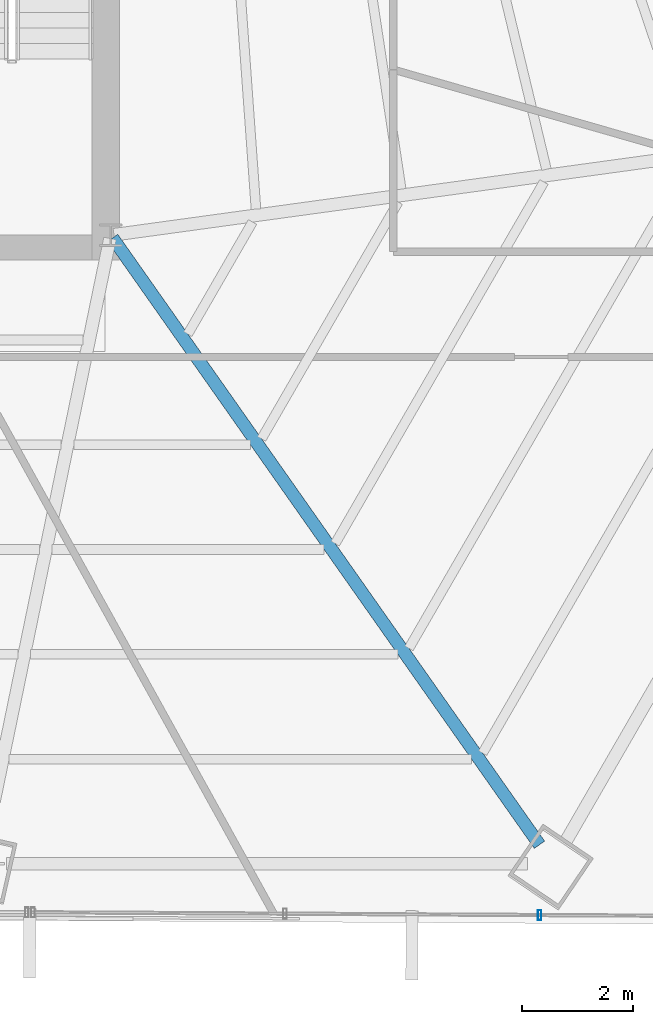
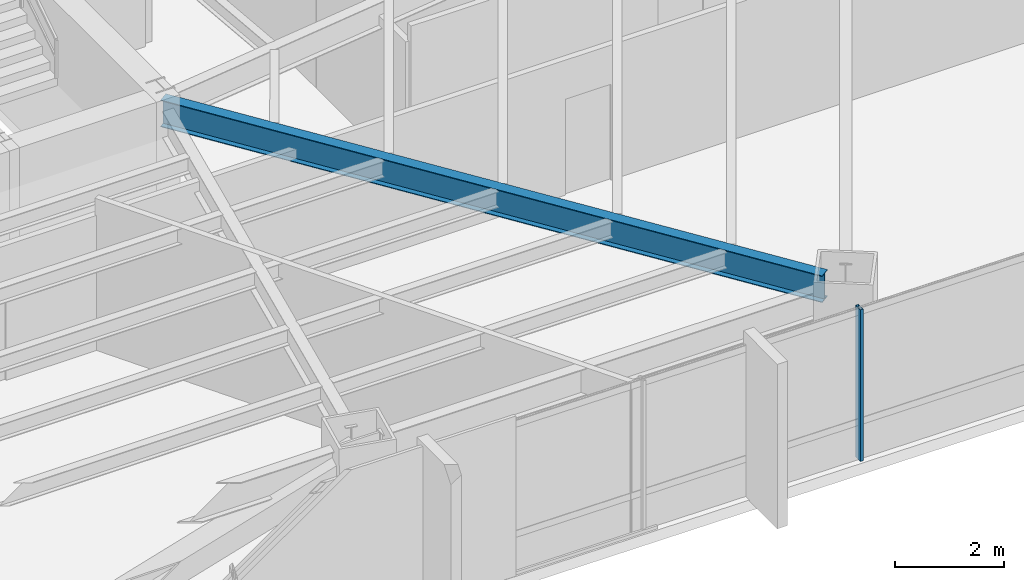
# One storey, part 16 of 35: 1 beam, 1 member, 1 element without a shape of its own.
"""IFC4 building model written with IfcOpenShell, lengths in metres."""

from ifc_helpers import new_model, si_unit, direction, frame, origin, origin_2d, place, context, subcontext, project, spatial, hollow_rectangle, i_section, extrude, source, transform, mapped, material, material_profile, profile_set, type_object, type_shapes, element, aggregate, save


model = new_model("IFC4")

# Units and contexts
model_context = context("Model", 3, precision=1e-05, world=origin(), true_north=direction((0.0, 1.0)))
body_context = subcontext(model_context, "Body", "Model", "MODEL_VIEW")
ifc_project = project(units=[si_unit("LENGTHUNIT", "METRE"), si_unit("AREAUNIT", "SQUARE_METRE"), si_unit("VOLUMEUNIT", "CUBIC_METRE"), si_unit("PLANEANGLEUNIT", "RADIAN"), si_unit("MASSUNIT", "GRAM", prefix="KILO")], contexts=[model_context])

# Site, building, storey
site_placement = place(None, origin())
site = spatial("IfcSite", under=ifc_project, at=site_placement, CompositionType="ELEMENT")
building_placement = place(site_placement, origin())
building = spatial("IfcBuilding", under=site, at=building_placement, Name="Caelisora Broadcast Tower", CompositionType="ELEMENT")
storey_placement = place(building_placement, frame((0.0, 0.0, 87.14990234375)))
storey = spatial("IfcBuildingStorey", under=building, at=storey_placement, Name="L22", CompositionType="ELEMENT", Elevation=87.14990234375)

# Beam
ifc_material_1 = material(Name="Steel Grade 350 (AS/NZS 3679.1)", Category="steel")
ifc_material_profile_1 = material_profile(ifc_material_1, i_section(OverallWidth=0.22802734375, OverallDepth=0.602294921875, WebThickness=0.010498046875, FlangeThickness=0.014892578125, at=origin_2d()), Name="Steel Grade 350 (AS/NZS 3679.1)")
ifc_profile_set_1 = profile_set([ifc_material_profile_1], Name="Steel Grade 350 (AS/NZS 3679.1)")
beam_type = type_object("IfcBeamType", Name="PG04", PredefinedType="BEAM", material=ifc_profile_set_1)
shared_shape_1 = source(origin(), body_context, "Body", "SweptSolid", [
    extrude(i_section(OverallWidth=0.22802734375, OverallDepth=0.602294921875, WebThickness=0.010498046875, FlangeThickness=0.014892578125, at=origin_2d()), origin(), (0.0, 0.0, 1.0), 13.39501953125),
])
type_shapes(beam_type, [shared_shape_1])
beam_placement = place(storey_placement, frame((45.534423828125, 17.350830078125, 3.098876953125), z_axis=(0.5753836925, -0.817883614217, 0.0), x_axis=(0.817883614217, 0.5753836925, 0.0)))
element("IfcBeam", 1, at=beam_placement, inside=storey, type_object=beam_type, Name="L22 beam PG04", PredefinedType="BEAM", context=body_context, shape_type="MappedRepresentation", body=[
    mapped(shared_shape_1, transform((0.0, 0.0, 0.0), scale=1.0)),
])

# Curtain wall, member
ifc_material_2 = material(Name="Unitised Aluminium and Low-E Glass Curtain Wall", Category="glass")
curtain_wall_type = type_object("IfcCurtainWallType", Name="CW-Z2", PredefinedType="NOTDEFINED", material=ifc_material_2)
curtain_wall_placement = place(storey_placement, origin())
curtain_wall = element("IfcCurtainWall", 2, at=curtain_wall_placement, inside=storey, type_object=curtain_wall_type, Name="L22 curtain wall CW-Z2", PredefinedType="NOTDEFINED")
ifc_material_3 = material(Name="Aluminium 6063-T6 Anodised Terracotta Bronze", Category="aluminium")
ifc_material_profile_2 = material_profile(ifc_material_3, hollow_rectangle(XDim=0.06494140625, YDim=0.179931640625, WallThickness=0.00341796875, at=origin_2d()), Name="Aluminium 6063-T6 Anodised Terracotta Bronze")
ifc_profile_set_2 = profile_set([ifc_material_profile_2], Name="Aluminium 6063-T6 Anodised Terracotta Bronze")
member_type = type_object("IfcMemberType", Name="CWM-02", PredefinedType="MULLION", material=ifc_profile_set_2)
shared_shape_2 = source(origin(), body_context, "Body", "SweptSolid", [
    extrude(hollow_rectangle(XDim=0.06494140625, YDim=0.179931640625, WallThickness=0.00341796875, at=origin_2d()), origin(), (0.0, 0.0, 1.0), 3.400146484375),
])
type_shapes(member_type, [shared_shape_2])
member_placement = place(storey_placement, frame((53.244384765625, 5.126220703125, 0.0), z_axis=(0.0, 0.0, 1.0), x_axis=(1.0, 0.0, 0.0)))
member = element("IfcMember", 3, at=member_placement, type_object=member_type, Name="L22-CW-B05 mullion #1", PredefinedType="MULLION", context=body_context, shape_type="MappedRepresentation", body=[
    mapped(shared_shape_2, transform((0.0, 0.0, 0.0), scale=1.0)),
])
aggregate(curtain_wall, [member])

save(model, "model.ifc")
